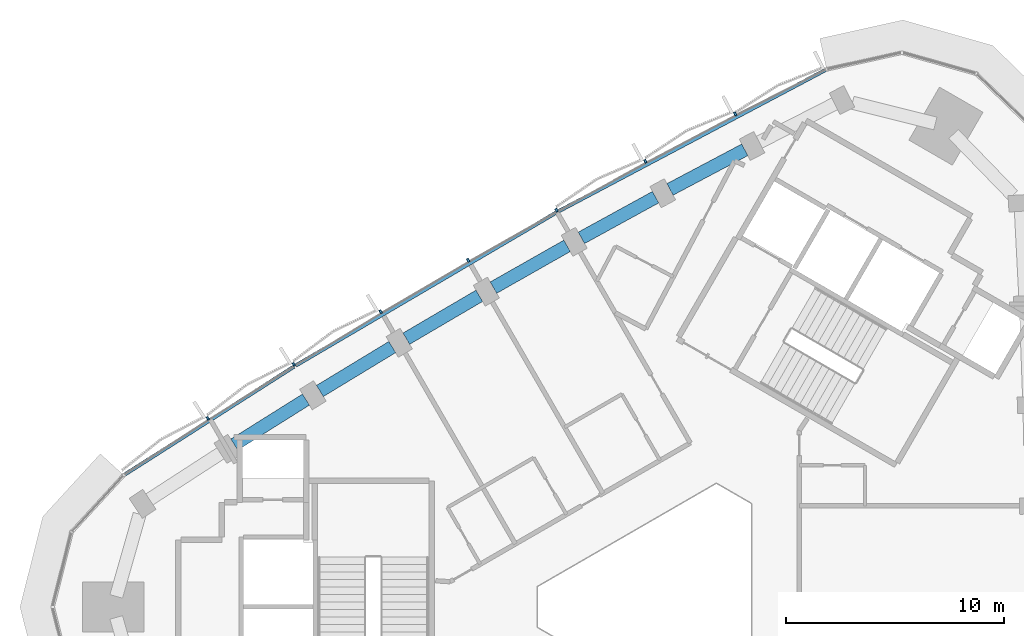
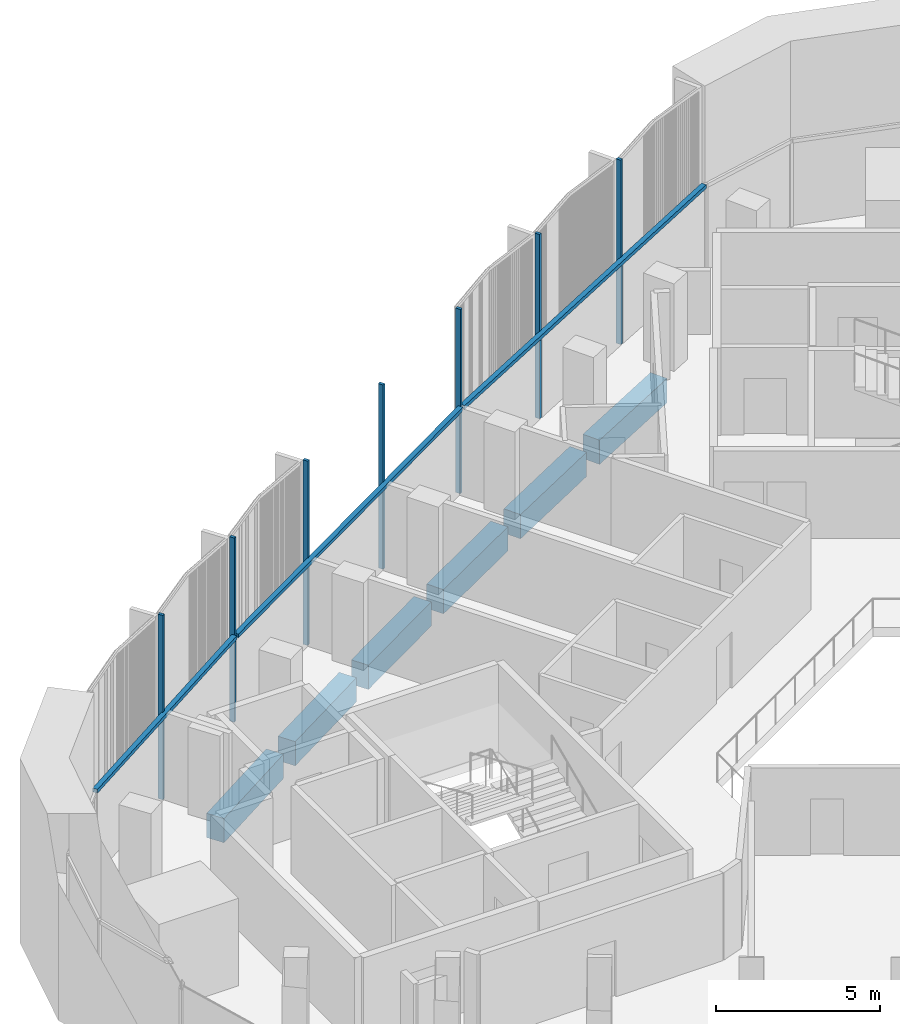
# One storey, part 5 of 14: 10 members, 6 beams, 1 element without a shape of its own.
"""IFC4 building model written with IfcOpenShell, lengths in metres."""

from ifc_helpers import new_model, si_unit, direction, frame, origin, origin_2d, place, context, subcontext, project, spatial, rectangle, extrude, material, material_profile, profile_set, type_object, element, aggregate, save


model = new_model("IFC4")

# Units and contexts
model_context = context("Model", 3, precision=1e-05, world=origin(), true_north=direction((0.0, 1.0)))
body_context = subcontext(model_context, "Body", "Model", "MODEL_VIEW")
ifc_project = project(units=[si_unit("LENGTHUNIT", "METRE"), si_unit("AREAUNIT", "SQUARE_METRE"), si_unit("VOLUMEUNIT", "CUBIC_METRE"), si_unit("PLANEANGLEUNIT", "RADIAN"), si_unit("MASSUNIT", "GRAM", prefix="KILO")], contexts=[model_context])

# Site, building, storey
site_placement = place(None, origin())
site = spatial("IfcSite", under=ifc_project, at=site_placement, CompositionType="ELEMENT")
building_placement = place(site_placement, origin())
building = spatial("IfcBuilding", under=site, at=building_placement, Name="Tamra Quay Hotel Tower", CompositionType="ELEMENT")
storey_placement = place(building_placement, frame((0.0, 0.0, 221.39990234375)))
storey = spatial("IfcBuildingStorey", under=building, at=storey_placement, Name="L55", CompositionType="ELEMENT", Elevation=221.39990234375)

# Curtain wall, members
ifc_material_1 = material(Name="Aluminium 6063 anodised dark grey", Category="aluminium")
curtain_wall_type = type_object("IfcCurtainWallType", Name="CW2 CURTAIN WALL", PredefinedType="NOTDEFINED", material=ifc_material_1)
curtain_wall_placement = place(storey_placement, origin())
curtain_wall = element("IfcCurtainWall", 1, at=curtain_wall_placement, inside=storey, type_object=curtain_wall_type, Name="CW2 north-west face L55", PredefinedType="NOTDEFINED")
ifc_material_profile_1 = material_profile(ifc_material_1, rectangle(XDim=0.169921875, YDim=0.10009765625, at=origin_2d()), Name="MULLION 100X170")
ifc_profile_set_1 = profile_set([ifc_material_profile_1], Name="Aluminium 6063 anodised dark grey")
member_type_1 = type_object("IfcMemberType", Name="MULLION CW2 Z5", PredefinedType="MULLION", material=ifc_profile_set_1)
member_1_placement = place(storey_placement, frame((3.06591796875, 22.57861328125, 0.0), z_axis=(0.0, 0.0, 1.0), x_axis=(-0.461343866689, 0.887221413554, 0.0)))
member_1 = element("IfcMember", 2, at=member_1_placement, type_object=member_type_1, Name="CW2 mullion L55.NW.2", PredefinedType="MULLION", context=body_context, shape_type="SweptSolid", body=[
    extrude(rectangle(XDim=0.169921875, YDim=0.10009765625, at=origin_2d()), origin(), (0.0, 0.0, 1.0), 6.85009765625),
])
member_2_placement = place(storey_placement, frame((-1.043701171875, 20.4033203125, 0.0), z_axis=(0.0, 0.0, 1.0), x_axis=(-0.474318697742, 0.880353209213, 0.0)))
member_2 = element("IfcMember", 3, at=member_2_placement, type_object=member_type_1, Name="CW2 mullion L55.NW.3", PredefinedType="MULLION", context=body_context, shape_type="SweptSolid", body=[
    extrude(rectangle(XDim=0.169921875, YDim=0.10009765625, at=origin_2d()), origin(), (0.0, 0.0, 1.0), 6.85009765625),
])
member_3_placement = place(storey_placement, frame((-5.1201171875, 18.168212890625, 0.0), z_axis=(0.0, 0.0, 1.0), x_axis=(-0.487204268935, 0.873288039728, 0.0)))
member_3 = element("IfcMember", 4, at=member_3_placement, type_object=member_type_1, Name="CW2 mullion L55.NW.4", PredefinedType="MULLION", context=body_context, shape_type="SweptSolid", body=[
    extrude(rectangle(XDim=0.169921875, YDim=0.10009765625, at=origin_2d()), origin(), (0.0, 0.0, 1.0), 6.85009765625),
])
member_4_placement = place(storey_placement, frame((-9.1640625, 15.872802734375, 0.0), z_axis=(0.0, 0.0, 1.0), x_axis=(-0.5, 0.866025403784, 0.0)))
member_4 = element("IfcMember", 5, at=member_4_placement, type_object=member_type_1, Name="CW2 mullion L55.NW.5", PredefinedType="MULLION", context=body_context, shape_type="SweptSolid", body=[
    extrude(rectangle(XDim=0.169921875, YDim=0.10009765625, at=origin_2d()), origin(), (0.0, 0.0, 1.0), 6.85009765625),
])
member_5_placement = place(storey_placement, frame((-13.173828125, 13.518310546875, 0.0), z_axis=(0.0, 0.0, 1.0), x_axis=(-0.512687492758, 0.858575293594, 0.0)))
member_5 = element("IfcMember", 6, at=member_5_placement, type_object=member_type_1, Name="CW2 mullion L55.NW.6", PredefinedType="MULLION", context=body_context, shape_type="SweptSolid", body=[
    extrude(rectangle(XDim=0.169921875, YDim=0.10009765625, at=origin_2d()), origin(), (0.0, 0.0, 1.0), 6.85009765625),
])
member_6_placement = place(storey_placement, frame((-17.14794921875, 11.10546875, 0.0), z_axis=(0.0, 0.0, 1.0), x_axis=(-0.525248894611, 0.850948646341, 0.0)))
member_6 = element("IfcMember", 7, at=member_6_placement, type_object=member_type_1, Name="CW2 mullion L55.NW.7", PredefinedType="MULLION", context=body_context, shape_type="SweptSolid", body=[
    extrude(rectangle(XDim=0.169921875, YDim=0.10009765625, at=origin_2d()), origin(), (0.0, 0.0, 1.0), 6.85009765625),
])
member_7_placement = place(storey_placement, frame((-21.086669921875, 8.634033203125, 0.0), z_axis=(0.0, 0.0, 1.0), x_axis=(-0.537684349575, 0.84314621521, 0.0)))
member_7 = element("IfcMember", 8, at=member_7_placement, type_object=member_type_1, Name="CW2 mullion L55.NW.8", PredefinedType="MULLION", context=body_context, shape_type="SweptSolid", body=[
    extrude(rectangle(XDim=0.169921875, YDim=0.10009765625, at=origin_2d()), origin(), (0.0, 0.0, 1.0), 6.85009765625),
])

# Beams
ifc_material_2 = material(Name="Concrete M60", Category="concrete")
ifc_material_profile_2 = material_profile(ifc_material_2, rectangle(XDim=0.60009765625, YDim=0.89990234375, at=origin_2d()), Name="SPANDREL BEAM RC 600x900")
ifc_profile_set_2 = profile_set([ifc_material_profile_2], Name="Concrete M60")
beam_type = type_object("IfcBeamType", Name="SPANDREL BEAM RC 600x900", PredefinedType="SPANDREL", material=ifc_profile_set_2)
beam_1_placement = place(storey_placement, frame((3.5, 20.931396484375, -0.7998046875), z_axis=(-0.883803240878, -0.467858772937, 0.0), x_axis=(0.467858772937, -0.883803240878, 0.0)))
element("IfcBeam", 9, at=beam_1_placement, inside=storey, type_object=beam_type, Name="BM-SP5-011-L55", PredefinedType="SPANDREL", context=body_context, shape_type="SweptSolid", body=[
    extrude(rectangle(XDim=0.60009765625, YDim=0.89990234375, at=origin_2d()), origin(), (0.0, 0.0, 1.0), 3.875),
])
beam_2_placement = place(storey_placement, frame((-0.585205078125, 18.7626953125, -0.7998046875), z_axis=(-0.876838966376, -0.480784179279, 0.0), x_axis=(0.480784179279, -0.876838966376, 0.0)))
element("IfcBeam", 10, at=beam_2_placement, inside=storey, type_object=beam_type, Name="BM-SP5-012-L55", PredefinedType="SPANDREL", context=body_context, shape_type="SweptSolid", body=[
    extrude(rectangle(XDim=0.60009765625, YDim=0.89990234375, at=origin_2d()), origin(), (0.0, 0.0, 1.0), 3.87548828125),
])
beam_3_placement = place(storey_placement, frame((-4.638427734375, 16.533935546875, -0.7998046875), z_axis=(-0.86967787455, -0.493619686113, 0.0), x_axis=(0.493619686113, -0.86967787455, 0.0)))
element("IfcBeam", 11, at=beam_3_placement, inside=storey, type_object=beam_type, Name="BM-SP5-013-L55", PredefinedType="SPANDREL", context=body_context, shape_type="SweptSolid", body=[
    extrude(rectangle(XDim=0.60009765625, YDim=0.89990234375, at=origin_2d()), origin(), (0.0, 0.0, 1.0), 3.875244140625),
])
beam_4_placement = place(storey_placement, frame((-8.658203125, 14.24609375, -0.7998046875), z_axis=(-0.862324287816, -0.506356418585, 0.0), x_axis=(0.506356418585, -0.862324287816, 0.0)))
element("IfcBeam", 12, at=beam_4_placement, inside=storey, type_object=beam_type, Name="BM-SP5-014-L55", PredefinedType="SPANDREL", context=body_context, shape_type="SweptSolid", body=[
    extrude(rectangle(XDim=0.60009765625, YDim=0.89990234375, at=origin_2d()), origin(), (0.0, 0.0, 1.0), 3.875),
])
beam_5_placement = place(storey_placement, frame((-12.6435546875, 11.8994140625, -0.7998046875), z_axis=(-0.854785519234, -0.518981421737, 0.0), x_axis=(0.518981421737, -0.854785519234, 0.0)))
element("IfcBeam", 13, at=beam_5_placement, inside=storey, type_object=beam_type, Name="BM-SP5-015-L55", PredefinedType="SPANDREL", context=body_context, shape_type="SweptSolid", body=[
    extrude(rectangle(XDim=0.60009765625, YDim=0.89990234375, at=origin_2d()), origin(), (0.0, 0.0, 1.0), 3.875732421875),
])
beam_6_placement = place(storey_placement, frame((-16.5947265625, 9.494140625, -0.7998046875), z_axis=(-0.847066119134, -0.53148752555, 0.0), x_axis=(0.53148752555, -0.847066119134, 0.0)))
element("IfcBeam", 14, at=beam_6_placement, inside=storey, type_object=beam_type, Name="BM-SP5-016-L55", PredefinedType="SPANDREL", context=body_context, shape_type="SweptSolid", body=[
    extrude(rectangle(XDim=0.60009765625, YDim=0.89990234375, at=origin_2d()), origin(), (0.0, 0.0, 1.0), 3.875),
])

# Member
ifc_material_profile_3 = material_profile(ifc_material_1, rectangle(XDim=0.169921875, YDim=0.139892578125, at=origin_2d()), Name="TRANSOM 170X140")
ifc_profile_set_3 = profile_set([ifc_material_profile_3], Name="Aluminium 6063 anodised dark grey")
member_type_2 = type_object("IfcMemberType", Name="TRANSOM CW2 Z5", PredefinedType="USERDEFINED", material=ifc_profile_set_3)
member_8_placement = place(storey_placement, frame((7.2001953125, 24.5947265625, 3.18017578125), z_axis=(-0.883805932558, -0.467853688214, 0.0), x_axis=(0.467853688214, -0.883805932558, 0.0)))
member_8 = element("IfcMember", 15, at=member_8_placement, type_object=member_type_2, Name="CW2 transom L55.NW.1", ObjectType="TRANSOM", PredefinedType="USERDEFINED", context=body_context, shape_type="SweptSolid", body=[
    extrude(rectangle(XDim=0.169921875, YDim=0.139892578125, at=origin_2d()), origin(), (0.0, 0.0, 1.0), 13.84375),
])

member_9_placement = place(storey_placement, frame((-5.122314453125, 18.069091796875, 3.18017578125), z_axis=(-0.862327906366, -0.50635025615, 0.0), x_axis=(0.50635025615, -0.862327906366, 0.0)))
member_9 = element("IfcMember", 16, at=member_9_placement, type_object=member_type_2, Name="CW2 transom L55.NW.4", ObjectType="TRANSOM", PredefinedType="USERDEFINED", context=body_context, shape_type="SweptSolid", body=[
    extrude(rectangle(XDim=0.169921875, YDim=0.139892578125, at=origin_2d()), origin(), (0.0, 0.0, 1.0), 13.84423828125),
])

member_10_placement = place(storey_placement, frame((-17.1455078125, 11.006591796875, 3.18017578125), z_axis=(-0.843150628399, -0.537677429162, 0.0), x_axis=(0.537677429162, -0.843150628399, 0.0)))
member_10 = element("IfcMember", 17, at=member_10_placement, type_object=member_type_2, Name="CW2 transom L55.NW.7", ObjectType="TRANSOM", PredefinedType="USERDEFINED", context=body_context, shape_type="SweptSolid", body=[
    extrude(rectangle(XDim=0.169921875, YDim=0.139892578125, at=origin_2d()), origin(), (0.0, 0.0, 1.0), 9.196533203125),
])

aggregate(curtain_wall, [member_8, member_1, member_2, member_3, member_9, member_4, member_5, member_6, member_10, member_7])

save(model, "model.ifc")
